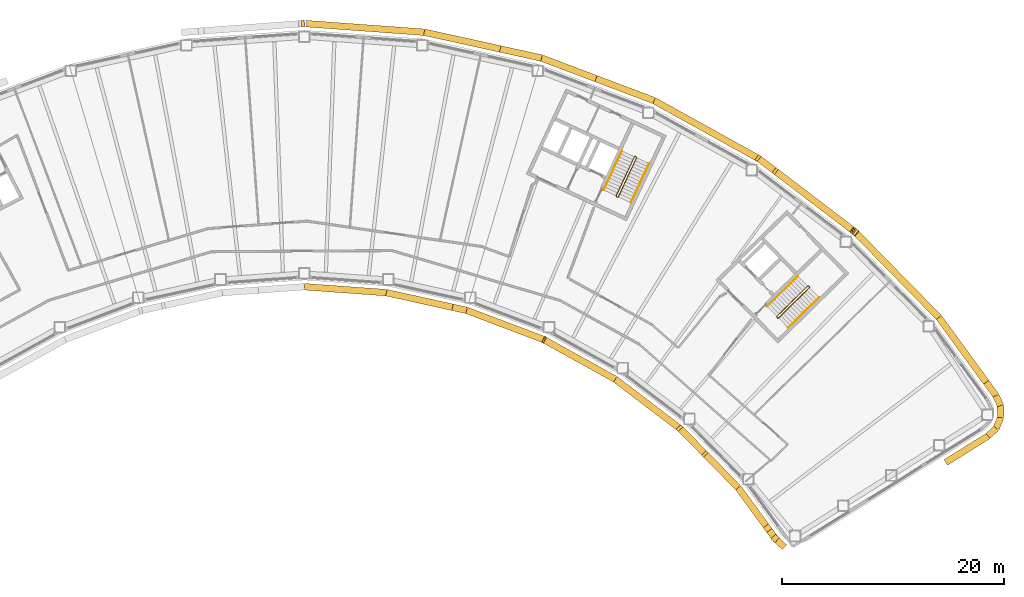
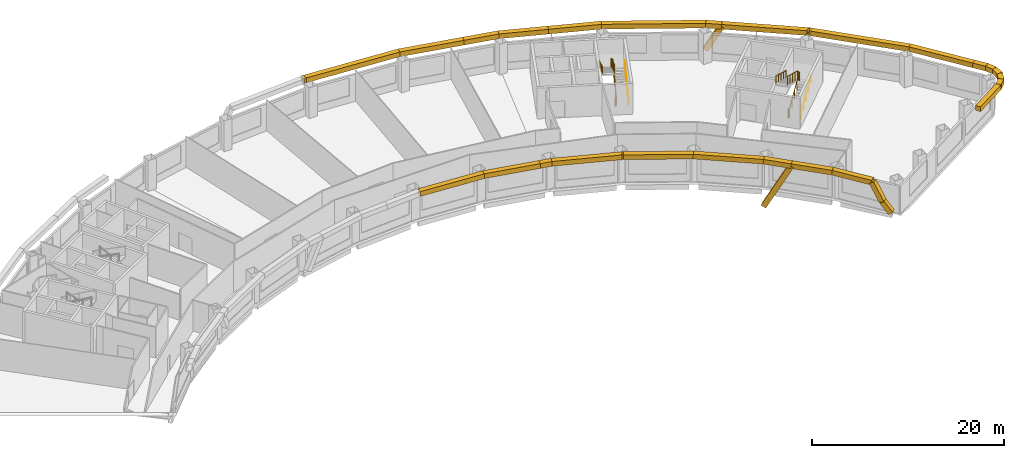
# One storey, part 11 of 11: 34 coverings, 6 railings.
"""IFC4 building model written with IfcOpenShell, lengths in metres."""

from ifc_helpers import new_model, si_unit, direction, frame, origin, origin_2d, place, context, subcontext, project, spatial, rectangle, circle, extrude, material, material_profile, profile_set, type_object, element, save


model = new_model("IFC4")

# Units and contexts
model_context = context("Model", 3, precision=1e-05, world=origin(), true_north=direction((0.0, 1.0)))
body_context = subcontext(model_context, "Body", "Model", "MODEL_VIEW")
ifc_project = project(units=[si_unit("LENGTHUNIT", "METRE"), si_unit("AREAUNIT", "SQUARE_METRE"), si_unit("VOLUMEUNIT", "CUBIC_METRE"), si_unit("PLANEANGLEUNIT", "RADIAN"), si_unit("MASSUNIT", "GRAM", prefix="KILO")], contexts=[model_context])

# Site, building, storey
site_placement = place(None, origin())
site = spatial("IfcSite", under=ifc_project, at=site_placement, CompositionType="ELEMENT")
building_placement = place(site_placement, origin())
building = spatial("IfcBuilding", under=site, at=building_placement, Name="Tuul Gate Civic Tower", CompositionType="ELEMENT")
storey_placement = place(building_placement, frame((0.0, 0.0, 159.199951171875)))
storey = spatial("IfcBuildingStorey", under=building, at=storey_placement, Name="Level 36", CompositionType="ELEMENT", Elevation=159.199951171875)

# Railings
ifc_material_1 = material(Name="Painted steel", Category="steel")
railing_type_1 = type_object("IfcRailingType", Name="Stair guard", PredefinedType="GUARDRAIL", material=ifc_material_1)
railing_1_placement = place(storey_placement, frame((48.10546875, -16.134765625, 0.0)))
element("IfcRailing", 1, at=railing_1_placement, inside=storey, type_object=railing_type_1, Name="Level 36 ST-3 stair guard 1", PredefinedType="GUARDRAIL", context=body_context, shape_type="SweptSolid", body=[
    extrude(circle(Radius=0.02392578125, at=origin_2d()), frame((0.0, 0.0, 1.076171875), z_axis=(-0.698506948293, 0.715603272202, 0.0), x_axis=(-0.715603272202, -0.698506948293, 0.0)), (0.0, 0.0, 1.0), 0.099853515625),
    extrude(circle(Radius=0.02392578125, at=origin_2d()), frame((-0.06982421875, 0.071533203125, 1.076171875), z_axis=(0.644948864628, -0.331432055434, 0.688617277337), x_axis=(0.457068866502, 0.889431307788, 0.0)), (0.0, 0.0, 1.0), 0.218017578125),
    extrude(circle(Radius=0.02392578125, at=origin_2d()), frame((0.07080078125, -0.000732421875, 1.22607421875), z_axis=(0.638731261263, 0.626133563701, 0.447190268558), x_axis=(-0.700029477518, 0.714113947914, 0.0)), (0.0, 0.0, 1.0), 4.3603515625),
    extrude(circle(Radius=0.02392578125, at=origin_2d()), frame((2.85595703125, 2.7294921875, 3.17626953125), z_axis=(0.010380063588, 0.999946125689, 0.0), x_axis=(-0.999946125689, 0.010380063588, 0.0)), (0.0, 0.0, 1.0), 0.070556640625),
    extrude(circle(Radius=0.02392578125, at=origin_2d()), frame((2.856689453125, 2.800048828125, 3.17626953125), z_axis=(-0.699754442181, 0.714383454909, 0.0), x_axis=(-0.714383454909, -0.699754442181, 0.0)), (0.0, 0.0, 1.0), 0.10009765625),
    extrude(circle(Radius=0.02392578125, at=origin_2d()), frame((2.78662109375, 2.87158203125, 3.17626953125), z_axis=(-0.427069033481, 0.004417955519, 0.904208229508), x_axis=(-0.010344274102, -0.999946496565, 0.0)), (0.0, 0.0, 1.0), 0.165771484375),
    extrude(circle(Radius=0.02392578125, at=origin_2d()), frame((2.7158203125, 2.872314453125, 3.326171875), z_axis=(-0.638731261263, -0.626133563701, 0.447190268558), x_axis=(0.700029477518, -0.714113947914, 0.0)), (0.0, 0.0, 1.0), 4.3603515625),
    extrude(circle(Radius=0.02099609375, at=origin_2d()), origin(), (0.0, 0.0, 1.0), 1.052001953125),
    extrude(circle(Radius=0.02099609375, at=origin_2d()), frame((-0.06982421875, 0.071533203125, 0.0)), (0.0, 0.0, 1.0), 1.052001953125),
    extrude(circle(Radius=0.02099609375, at=origin_2d()), frame((0.07080078125, -0.000732421875, 0.150146484375)), (0.0, 0.0, 1.0), 1.052001953125),
    extrude(circle(Radius=0.02099609375, at=origin_2d()), frame((0.76708984375, 0.681884765625, 0.6376953125)), (0.0, 0.0, 1.0), 1.052001953125),
    extrude(circle(Radius=0.02099609375, at=origin_2d()), frame((1.46337890625, 1.3642578125, 1.125)), (0.0, 0.0, 1.0), 1.052001953125),
    extrude(circle(Radius=0.02099609375, at=origin_2d()), frame((2.15966796875, 2.046875, 1.612548828125)), (0.0, 0.0, 1.0), 1.052001953125),
    extrude(circle(Radius=0.02099609375, at=origin_2d()), frame((2.85595703125, 2.7294921875, 2.10009765625)), (0.0, 0.0, 1.0), 1.052001953125),
    extrude(circle(Radius=0.02099609375, at=origin_2d()), frame((2.856689453125, 2.800048828125, 2.10009765625)), (0.0, 0.0, 1.0), 1.052001953125),
    extrude(circle(Radius=0.02099609375, at=origin_2d()), frame((2.78662109375, 2.87158203125, 2.10009765625)), (0.0, 0.0, 1.0), 1.052001953125),
    extrude(circle(Radius=0.02099609375, at=origin_2d()), frame((2.7158203125, 2.872314453125, 2.25)), (0.0, 0.0, 1.0), 1.052001953125),
    extrude(circle(Radius=0.02099609375, at=origin_2d()), frame((2.01953125, 2.189697265625, 2.737548828125)), (0.0, 0.0, 1.0), 1.052001953125),
    extrude(circle(Radius=0.02099609375, at=origin_2d()), frame((1.3232421875, 1.50732421875, 3.22509765625)), (0.0, 0.0, 1.0), 1.052001953125),
    extrude(circle(Radius=0.02099609375, at=origin_2d()), frame((0.626953125, 0.82470703125, 3.71240234375)), (0.0, 0.0, 1.0), 1.052001953125),
    extrude(circle(Radius=0.02099609375, at=origin_2d()), frame((-0.0693359375, 0.14208984375, 4.199951171875)), (0.0, 0.0, 1.0), 1.052001953125),
])
railing_2_placement = place(storey_placement, frame((33.645751953125, -5.238525390625, 0.0)))
element("IfcRailing", 2, at=railing_2_placement, inside=storey, type_object=railing_type_1, Name="Level 36 ST-4 stair guard 1", PredefinedType="GUARDRAIL", context=body_context, shape_type="SweptSolid", body=[
    extrude(circle(Radius=0.02392578125, at=origin_2d()), frame((0.0, 0.0, 1.076171875), z_axis=(-0.906307919131, 0.422617978463, 0.0), x_axis=(-0.422617978463, -0.906307919131, 0.0)), (0.0, 0.0, 1.0), 0.099853515625),
    extrude(circle(Radius=0.02392578125, at=origin_2d()), frame((-0.090576171875, 0.042236328125, 1.076171875), z_axis=(0.720179819621, -0.082882280952, 0.688818956559), x_axis=(0.114330889033, 0.993442724979, 0.0)), (0.0, 0.0, 1.0), 0.218017578125),
    extrude(circle(Radius=0.02392578125, at=origin_2d()), frame((0.06640625, 0.024169921875, 1.22607421875), z_axis=(0.377946903738, 0.810654114417, 0.447209173356), x_axis=(-0.906336612539, 0.422556439746, 0.0)), (0.0, 0.0, 1.0), 4.3603515625),
    extrude(circle(Radius=0.02392578125, at=origin_2d()), frame((1.71435546875, 3.558837890625, 3.17626953125), z_axis=(-0.342020437038, 0.939692513883, 0.0), x_axis=(-0.939692513883, -0.342020437038, 0.0)), (0.0, 0.0, 1.0), 0.070556640625),
    extrude(circle(Radius=0.02392578125, at=origin_2d()), frame((1.690185546875, 3.625244140625, 3.17626953125), z_axis=(-0.906307919131, 0.422617978463, 0.0), x_axis=(-0.422617978463, -0.906307919131, 0.0)), (0.0, 0.0, 1.0), 0.099853515625),
    extrude(circle(Radius=0.02392578125, at=origin_2d()), frame((1.599609375, 3.66748046875, 3.17626953125), z_axis=(-0.40070210376, -0.145843780413, 0.904526072458), x_axis=(0.342020437038, -0.939692513883, 0.0)), (0.0, 0.0, 1.0), 0.165771484375),
    extrude(circle(Radius=0.02392578125, at=origin_2d()), frame((1.533203125, 3.643310546875, 3.326171875), z_axis=(-0.377946903738, -0.810654114417, 0.447209173356), x_axis=(0.906336612539, -0.422556439746, 0.0)), (0.0, 0.0, 1.0), 4.3603515625),
    extrude(circle(Radius=0.02099609375, at=origin_2d()), origin(), (0.0, 0.0, 1.0), 1.052001953125),
    extrude(circle(Radius=0.02099609375, at=origin_2d()), frame((-0.090576171875, 0.042236328125, 0.0)), (0.0, 0.0, 1.0), 1.052001953125),
    extrude(circle(Radius=0.02099609375, at=origin_2d()), frame((0.06640625, 0.024169921875, 0.150146484375)), (0.0, 0.0, 1.0), 1.052001953125),
    extrude(circle(Radius=0.02099609375, at=origin_2d()), frame((0.478515625, 0.90771484375, 0.6376953125)), (0.0, 0.0, 1.0), 1.052001953125),
    extrude(circle(Radius=0.02099609375, at=origin_2d()), frame((0.890380859375, 1.79150390625, 1.125)), (0.0, 0.0, 1.0), 1.052001953125),
    extrude(circle(Radius=0.02099609375, at=origin_2d()), frame((1.30224609375, 2.67529296875, 1.612548828125)), (0.0, 0.0, 1.0), 1.052001953125),
    extrude(circle(Radius=0.02099609375, at=origin_2d()), frame((1.71435546875, 3.558837890625, 2.10009765625)), (0.0, 0.0, 1.0), 1.052001953125),
    extrude(circle(Radius=0.02099609375, at=origin_2d()), frame((1.690185546875, 3.625244140625, 2.10009765625)), (0.0, 0.0, 1.0), 1.052001953125),
    extrude(circle(Radius=0.02099609375, at=origin_2d()), frame((1.599609375, 3.66748046875, 2.10009765625)), (0.0, 0.0, 1.0), 1.052001953125),
    extrude(circle(Radius=0.02099609375, at=origin_2d()), frame((1.533203125, 3.643310546875, 2.25)), (0.0, 0.0, 1.0), 1.052001953125),
    extrude(circle(Radius=0.02099609375, at=origin_2d()), frame((1.12109375, 2.759765625, 2.737548828125)), (0.0, 0.0, 1.0), 1.052001953125),
    extrude(circle(Radius=0.02099609375, at=origin_2d()), frame((0.709228515625, 1.8759765625, 3.22509765625)), (0.0, 0.0, 1.0), 1.052001953125),
    extrude(circle(Radius=0.02099609375, at=origin_2d()), frame((0.29736328125, 0.9921875, 3.71240234375)), (0.0, 0.0, 1.0), 1.052001953125),
    extrude(circle(Radius=0.02099609375, at=origin_2d()), frame((-0.11474609375, 0.108642578125, 4.199951171875)), (0.0, 0.0, 1.0), 1.052001953125),
])
ifc_material_2 = material(Name="Painted steel", Category="steel")
railing_type_2 = type_object("IfcRailingType", Name="Stair handrail", PredefinedType="HANDRAIL", material=ifc_material_2)
railing_3_placement = place(storey_placement, frame((49.05126953125, -17.028076171875, 0.150146484375)))
element("IfcRailing", 3, at=railing_3_placement, inside=storey, type_object=railing_type_2, Name="Level 36 ST-3 stair handrail 1", PredefinedType="HANDRAIL", context=body_context, shape_type="SweptSolid", body=[
    extrude(circle(Radius=0.02392578125, at=origin_2d()), frame((0.0, 0.0, 0.8759765625), z_axis=(0.638753653487, 0.626099522554, 0.447205945863), x_axis=(-0.699997553204, 0.714145241186, 0.0)), (0.0, 0.0, 1.0), 4.3603515625),
    extrude(circle(Radius=0.02099609375, at=origin_2d()), origin(), (0.0, 0.0, 1.0), 0.851806640625),
    extrude(circle(Radius=0.02099609375, at=origin_2d()), frame((0.6962890625, 0.6826171875, 0.487548828125)), (0.0, 0.0, 1.0), 0.851806640625),
    extrude(circle(Radius=0.02099609375, at=origin_2d()), frame((1.392578125, 1.364990234375, 0.97509765625)), (0.0, 0.0, 1.0), 0.851806640625),
    extrude(circle(Radius=0.02099609375, at=origin_2d()), frame((2.0888671875, 2.04736328125, 1.46240234375)), (0.0, 0.0, 1.0), 0.851806640625),
    extrude(circle(Radius=0.02099609375, at=origin_2d()), frame((2.78515625, 2.72998046875, 1.949951171875)), (0.0, 0.0, 1.0), 0.851806640625),
])
railing_4_placement = place(storey_placement, frame((49.9462890625, -12.369873046875, 2.25)))
element("IfcRailing", 4, at=railing_4_placement, inside=storey, type_object=railing_type_2, Name="Level 36 ST-3 stair handrail 2", PredefinedType="HANDRAIL", context=body_context, shape_type="SweptSolid", body=[
    extrude(circle(Radius=0.02392578125, at=origin_2d()), frame((0.0, 0.0, 0.8759765625), z_axis=(-0.638753653487, -0.626099522554, 0.447205945863), x_axis=(0.699997553204, -0.714145241186, 0.0)), (0.0, 0.0, 1.0), 4.3603515625),
    extrude(circle(Radius=0.02099609375, at=origin_2d()), origin(), (0.0, 0.0, 1.0), 0.851806640625),
    extrude(circle(Radius=0.02099609375, at=origin_2d()), frame((-0.6962890625, -0.6826171875, 0.487548828125)), (0.0, 0.0, 1.0), 0.851806640625),
    extrude(circle(Radius=0.02099609375, at=origin_2d()), frame((-1.392578125, -1.364990234375, 0.97509765625)), (0.0, 0.0, 1.0), 0.851806640625),
    extrude(circle(Radius=0.02099609375, at=origin_2d()), frame((-2.0888671875, -2.04736328125, 1.46240234375)), (0.0, 0.0, 1.0), 0.851806640625),
    extrude(circle(Radius=0.02099609375, at=origin_2d()), frame((-2.78515625, -2.72998046875, 1.949951171875)), (0.0, 0.0, 1.0), 0.851806640625),
])
railing_5_placement = place(storey_placement, frame((34.844970703125, -5.74267578125, 0.150146484375)))
element("IfcRailing", 5, at=railing_5_placement, inside=storey, type_object=railing_type_2, Name="Level 36 ST-4 stair handrail 1", PredefinedType="HANDRAIL", context=body_context, shape_type="SweptSolid", body=[
    extrude(circle(Radius=0.02392578125, at=origin_2d()), frame((0.0, 0.0, 0.8759765625), z_axis=(0.377994896215, 0.810636958585, 0.447199709091), x_axis=(-0.906312636903, 0.422607861012, 0.0)), (0.0, 0.0, 1.0), 4.3603515625),
    extrude(circle(Radius=0.02099609375, at=origin_2d()), origin(), (0.0, 0.0, 1.0), 0.851806640625),
    extrude(circle(Radius=0.02099609375, at=origin_2d()), frame((0.412109375, 0.8837890625, 0.487548828125)), (0.0, 0.0, 1.0), 0.851806640625),
    extrude(circle(Radius=0.02099609375, at=origin_2d()), frame((0.82421875, 1.767333984375, 0.97509765625)), (0.0, 0.0, 1.0), 0.851806640625),
    extrude(circle(Radius=0.02099609375, at=origin_2d()), frame((1.236083984375, 2.65087890625, 1.46240234375)), (0.0, 0.0, 1.0), 0.851806640625),
    extrude(circle(Radius=0.02099609375, at=origin_2d()), frame((1.648193359375, 3.53466796875, 1.949951171875)), (0.0, 0.0, 1.0), 0.851806640625),
])
railing_6_placement = place(storey_placement, frame((34.046142578125, -1.06689453125, 2.25)))
element("IfcRailing", 6, at=railing_6_placement, inside=storey, type_object=railing_type_2, Name="Level 36 ST-4 stair handrail 2", PredefinedType="HANDRAIL", context=body_context, shape_type="SweptSolid", body=[
    extrude(circle(Radius=0.02392578125, at=origin_2d()), frame((0.0, 0.0, 0.8759765625), z_axis=(-0.377994896215, -0.810636958585, 0.447199709091), x_axis=(0.906312636903, -0.422607861012, 0.0)), (0.0, 0.0, 1.0), 4.3603515625),
    extrude(circle(Radius=0.02099609375, at=origin_2d()), origin(), (0.0, 0.0, 1.0), 0.851806640625),
    extrude(circle(Radius=0.02099609375, at=origin_2d()), frame((-0.412109375, -0.8837890625, 0.487548828125)), (0.0, 0.0, 1.0), 0.851806640625),
    extrude(circle(Radius=0.02099609375, at=origin_2d()), frame((-0.82421875, -1.767333984375, 0.97509765625)), (0.0, 0.0, 1.0), 0.851806640625),
    extrude(circle(Radius=0.02099609375, at=origin_2d()), frame((-1.236083984375, -2.65087890625, 1.46240234375)), (0.0, 0.0, 1.0), 0.851806640625),
    extrude(circle(Radius=0.02099609375, at=origin_2d()), frame((-1.648193359375, -3.53466796875, 1.949951171875)), (0.0, 0.0, 1.0), 0.851806640625),
])

# Coverings
ifc_material_3 = material(Name="Terracotta baguette", Category="masonry")
ifc_material_profile = material_profile(ifc_material_3, rectangle(XDim=0.60009765625, YDim=0.60009765625, at=origin_2d()), Name="Terracotta baguette screen frame")
ifc_profile_set = profile_set([ifc_material_profile], Name="Terracotta baguette")
covering_type = type_object("IfcCoveringType", Name="Terracotta baguette screen frame", PredefinedType="CLADDING", material=ifc_profile_set)
covering_1_placement = place(storey_placement, frame((63.275146484375, -29.19384765625, 3.85009765625), z_axis=(0.848058898511, 0.529901976461, 0.0), x_axis=(-0.529901976461, 0.848058898511, 0.0)))
element("IfcCovering", 7, at=covering_1_placement, inside=storey, type_object=covering_type, Name="Baguette 11", PredefinedType="CLADDING", context=body_context, shape_type="SweptSolid", body=[
    extrude(rectangle(XDim=0.60009765625, YDim=0.60009765625, at=origin_2d()), origin(), (0.0, 0.0, 1.0), 4.526611328125),
])
covering_2_placement = place(storey_placement, frame((67.114013671875, -26.795166015625, 3.85009765625), z_axis=(0.722137314744, 0.691749737011, 0.0), x_axis=(-0.691749737011, 0.722137314744, 0.0)))
element("IfcCovering", 8, at=covering_2_placement, inside=storey, type_object=covering_type, Name="Baguette 12", PredefinedType="CLADDING", context=body_context, shape_type="SweptSolid", body=[
    extrude(rectangle(XDim=0.60009765625, YDim=0.60009765625, at=origin_2d()), origin(), (0.0, 0.0, 1.0), 0.98828125),
])
covering_3_placement = place(storey_placement, frame((67.82763671875, -26.111572265625, 3.85009765625), z_axis=(0.385784883999, 0.922588761734, 0.0), x_axis=(-0.922588761734, 0.385784883999, 0.0)))
element("IfcCovering", 9, at=covering_3_placement, inside=storey, type_object=covering_type, Name="Baguette 13", PredefinedType="CLADDING", context=body_context, shape_type="SweptSolid", body=[
    extrude(rectangle(XDim=0.60009765625, YDim=0.60009765625, at=origin_2d()), origin(), (0.0, 0.0, 1.0), 1.06689453125),
])
covering_4_placement = place(storey_placement, frame((68.2392578125, -25.127197265625, 3.85009765625), z_axis=(-0.014633694716, 0.999892921757, 0.0), x_axis=(-0.999892921757, -0.014633694716, 0.0)))
element("IfcCovering", 10, at=covering_4_placement, inside=storey, type_object=covering_type, Name="Baguette 14", PredefinedType="CLADDING", context=body_context, shape_type="SweptSolid", body=[
    extrude(rectangle(XDim=0.60009765625, YDim=0.60009765625, at=origin_2d()), origin(), (0.0, 0.0, 1.0), 1.067626953125),
])
covering_5_placement = place(storey_placement, frame((68.2236328125, -24.0595703125, 3.85009765625), z_axis=(-0.413393330634, 0.910552554325, 0.0), x_axis=(-0.910552554325, -0.413393330634, 0.0)))
element("IfcCovering", 11, at=covering_5_placement, inside=storey, type_object=covering_type, Name="Baguette 15", PredefinedType="CLADDING", context=body_context, shape_type="SweptSolid", body=[
    extrude(rectangle(XDim=0.60009765625, YDim=0.60009765625, at=origin_2d()), origin(), (0.0, 0.0, 1.0), 0.988037109375),
])
covering_6_placement = place(storey_placement, frame((67.815185546875, -23.159912109375, 3.85009765625), z_axis=(-0.589811807799, 0.807540730478, 0.0), x_axis=(-0.807540730478, -0.589811807799, 0.0)))
element("IfcCovering", 12, at=covering_6_placement, inside=storey, type_object=covering_type, Name="Baguette 16", PredefinedType="CLADDING", context=body_context, shape_type="SweptSolid", body=[
    extrude(rectangle(XDim=0.60009765625, YDim=0.60009765625, at=origin_2d()), origin(), (0.0, 0.0, 1.0), 1.49462890625),
])
covering_7_placement = place(storey_placement, frame((55.067626953125, -8.357177734375, 3.933837890625), z_axis=(-0.585147095835, 0.444790866766, -0.678058965782), x_axis=(-0.605151459078, -0.796110363942, 0.0)))
element("IfcCovering", 13, at=covering_7_placement, inside=storey, type_object=covering_type, Name="Baguette 30", PredefinedType="CLADDING", context=body_context, shape_type="SweptSolid", body=[
    extrude(rectangle(XDim=0.60009765625, YDim=0.60009765625, at=origin_2d()), origin(), (0.0, 0.0, 1.0), 0.12353515625),
])
covering_8_placement = place(storey_placement, frame((54.995361328125, -8.30224609375, 3.85009765625), z_axis=(0.378497746788, -0.287709435903, -0.879751519561), x_axis=(0.605151459078, 0.796110363942, 0.0)))
element("IfcCovering", 14, at=covering_8_placement, inside=storey, type_object=covering_type, Name="Baguette 34", PredefinedType="CLADDING", context=body_context, shape_type="SweptSolid", body=[
    extrude(rectangle(XDim=0.60009765625, YDim=0.60009765625, at=origin_2d()), origin(), (0.0, 0.0, 1.0), 0.19091796875),
])
covering_9_placement = place(storey_placement, frame((54.995361328125, -8.30224609375, 3.85009765625), z_axis=(-0.795609596357, 0.605809681488, 0.0), x_axis=(-0.605809681488, -0.795609596357, 0.0)))
element("IfcCovering", 15, at=covering_9_placement, inside=storey, type_object=covering_type, Name="Baguette 36", PredefinedType="CLADDING", context=body_context, shape_type="SweptSolid", body=[
    extrude(rectangle(XDim=0.60009765625, YDim=0.60009765625, at=origin_2d()), origin(), (0.0, 0.0, 1.0), 9.072265625),
])
covering_10_placement = place(storey_placement, frame((47.77734375, -2.80615234375, 3.85009765625), z_axis=(-0.378068215842, 0.28784582991, -0.879891585579), x_axis=(-0.605768691074, -0.795640806467, 0.0)))
element("IfcCovering", 16, at=covering_10_placement, inside=storey, type_object=covering_type, Name="Baguette 41", PredefinedType="CLADDING", context=body_context, shape_type="SweptSolid", body=[
    extrude(rectangle(XDim=0.60009765625, YDim=0.60009765625, at=origin_2d()), origin(), (0.0, 0.0, 1.0), 3.552978515625),
])
covering_11_placement = place(storey_placement, frame((31.7001953125, 5.460205078125, 3.85009765625), z_axis=(-0.935357847224, 0.353702838039, 0.0), x_axis=(-0.353702838039, -0.935357847224, 0.0)))
element("IfcCovering", 17, at=covering_11_placement, inside=storey, type_object=covering_type, Name="Baguette 57", PredefinedType="CLADDING", context=body_context, shape_type="SweptSolid", body=[
    extrude(rectangle(XDim=0.60009765625, YDim=0.60009765625, at=origin_2d()), origin(), (0.0, 0.0, 1.0), 5.245849609375),
])
covering_12_placement = place(storey_placement, frame((26.79345703125, 7.315673828125, 3.85009765625), z_axis=(-0.976554947182, 0.21526828641, 0.0), x_axis=(-0.21526828641, -0.976554947182, 0.0)))
element("IfcCovering", 18, at=covering_12_placement, inside=storey, type_object=covering_type, Name="Baguette 58", PredefinedType="CLADDING", context=body_context, shape_type="SweptSolid", body=[
    extrude(rectangle(XDim=0.60009765625, YDim=0.60009765625, at=origin_2d()), origin(), (0.0, 0.0, 1.0), 3.826416015625),
])
covering_13_placement = place(storey_placement, frame((18.751708984375, -15.180908203125, 3.85009765625), z_axis=(0.976558162371, -0.215253700333, 0.0), x_axis=(0.215253700333, 0.976558162371, 0.0)))
element("IfcCovering", 19, at=covering_13_placement, inside=storey, type_object=covering_type, Name="Baguette 233", PredefinedType="CLADDING", context=body_context, shape_type="SweptSolid", body=[
    extrude(rectangle(XDim=0.60009765625, YDim=0.60009765625, at=origin_2d()), origin(), (0.0, 0.0, 1.0), 1.295166015625),
])
covering_14_placement = place(storey_placement, frame((20.0166015625, -15.459716796875, 3.85009765625), z_axis=(0.935363965038, -0.353686659217, 0.0), x_axis=(0.353686659217, 0.935363965038, 0.0)))
element("IfcCovering", 20, at=covering_14_placement, inside=storey, type_object=covering_type, Name="Baguette 234", PredefinedType="CLADDING", context=body_context, shape_type="SweptSolid", body=[
    extrude(rectangle(XDim=0.60009765625, YDim=0.60009765625, at=origin_2d()), origin(), (0.0, 0.0, 1.0), 7.417724609375),
])
covering_15_placement = place(storey_placement, frame((26.954833984375, -18.083251953125, 3.85009765625), z_axis=(0.875065648596, -0.484004246518, 0.0), x_axis=(0.484004246518, 0.875065648596, 0.0)))
element("IfcCovering", 21, at=covering_15_placement, inside=storey, type_object=covering_type, Name="Baguette 235", PredefinedType="CLADDING", context=body_context, shape_type="SweptSolid", body=[
    extrude(rectangle(XDim=0.60009765625, YDim=0.60009765625, at=origin_2d()), origin(), (0.0, 0.0, 1.0), 0.13916015625),
])
covering_16_placement = place(storey_placement, frame((41.449462890625, -28.3212890625, 3.85009765625), z_axis=(-0.326313416277, 0.332898725304, -0.884702205857), x_axis=(-0.714134909565, -0.700008093482, 0.0)))
element("IfcCovering", 22, at=covering_16_placement, inside=storey, type_object=covering_type, Name="Baguette 254", PredefinedType="CLADDING", context=body_context, shape_type="SweptSolid", body=[
    extrude(rectangle(XDim=0.60009765625, YDim=0.60009765625, at=origin_2d()), origin(), (0.0, 0.0, 1.0), 6.45068359375),
])
covering_17_placement = place(storey_placement, frame((41.449462890625, -28.3212890625, 3.85009765625), z_axis=(0.700042634993, -0.714101049706, 0.0), x_axis=(0.714101049706, 0.700042634993, 0.0)))
element("IfcCovering", 23, at=covering_17_placement, inside=storey, type_object=covering_type, Name="Baguette 256", PredefinedType="CLADDING", context=body_context, shape_type="SweptSolid", body=[
    extrude(rectangle(XDim=0.60009765625, YDim=0.60009765625, at=origin_2d()), origin(), (0.0, 0.0, 1.0), 4.410888671875),
])
covering_18_placement = place(storey_placement, frame((44.537353515625, -31.47119140625, 3.85009765625), z_axis=(0.589751062736, -0.80758509397, 0.0), x_axis=(0.80758509397, 0.589751062736, 0.0)))
element("IfcCovering", 24, at=covering_18_placement, inside=storey, type_object=covering_type, Name="Baguette 257", PredefinedType="CLADDING", context=body_context, shape_type="SweptSolid", body=[
    extrude(rectangle(XDim=0.60009765625, YDim=0.60009765625, at=origin_2d()), origin(), (0.0, 0.0, 1.0), 4.51904296875),
])
covering_19_placement = place(storey_placement, frame((47.202392578125, -35.12060546875, 3.85009765625), z_axis=(0.278572496392, -0.381573250537, -0.881362138243), x_axis=(0.807662774431, 0.589644675037, 0.0)))
element("IfcCovering", 25, at=covering_19_placement, inside=storey, type_object=covering_type, Name="Baguette 270", PredefinedType="CLADDING", context=body_context, shape_type="SweptSolid", body=[
    extrude(rectangle(XDim=0.60009765625, YDim=0.60009765625, at=origin_2d()), origin(), (0.0, 0.0, 1.0), 2.43896484375),
])
covering_20_placement = place(storey_placement, frame((47.8818359375, -36.05126953125, 1.700439453125), z_axis=(0.418568484912, -0.391874462144, -0.819289222044), x_axis=(0.683445771731, 0.730001285686, 0.0)))
element("IfcCovering", 26, at=covering_20_placement, inside=storey, type_object=covering_type, Name="Baguette 271", PredefinedType="CLADDING", context=body_context, shape_type="SweptSolid", body=[
    extrude(rectangle(XDim=0.60009765625, YDim=0.60009765625, at=origin_2d()), origin(), (0.0, 0.0, 1.0), 1.572998046875),
])
covering_21_placement = place(storey_placement, frame((66.93359375, -21.952880859375, 3.85009765625), z_axis=(-0.58975447594, 0.807582601416, 0.0), x_axis=(-0.807582601416, -0.58975447594, 0.0)))
element("IfcCovering", 27, at=covering_21_placement, inside=storey, type_object=covering_type, Name="Baguette 285", PredefinedType="CLADDING", context=body_context, shape_type="SweptSolid", body=[
    extrude(rectangle(XDim=0.60009765625, YDim=0.60009765625, at=origin_2d()), origin(), (0.0, 0.0, 1.0), 7.240234375),
])
covering_22_placement = place(storey_placement, frame((62.66357421875, -16.105712890625, 3.85009765625), z_axis=(-0.700040591401, 0.714103053061, 0.0), x_axis=(-0.714103053061, -0.700040591401, 0.0)))
element("IfcCovering", 28, at=covering_22_placement, inside=storey, type_object=covering_type, Name="Baguette 286", PredefinedType="CLADDING", context=body_context, shape_type="SweptSolid", body=[
    extrude(rectangle(XDim=0.60009765625, YDim=0.60009765625, at=origin_2d()), origin(), (0.0, 0.0, 1.0), 10.850830078125),
])
covering_23_placement = place(storey_placement, frame((55.067626953125, -8.357177734375, 3.85009765625), z_axis=(-0.796110363942, 0.605151459078, 0.0), x_axis=(-0.605151459078, -0.796110363942, 0.0)))
element("IfcCovering", 29, at=covering_23_placement, inside=storey, type_object=covering_type, Name="Baguette 287", PredefinedType="CLADDING", context=body_context, shape_type="SweptSolid", body=[
    extrude(rectangle(XDim=0.60009765625, YDim=0.60009765625, at=origin_2d()), origin(), (0.0, 0.0, 1.0), 0.0908203125),
])
covering_24_placement = place(storey_placement, frame((47.77734375, -2.80615234375, 3.85009765625), z_axis=(-0.795640806467, 0.605768691074, 0.0), x_axis=(-0.605768691074, -0.795640806467, 0.0)))
element("IfcCovering", 30, at=covering_24_placement, inside=storey, type_object=covering_type, Name="Baguette 294", PredefinedType="CLADDING", context=body_context, shape_type="SweptSolid", body=[
    extrude(rectangle(XDim=0.60009765625, YDim=0.60009765625, at=origin_2d()), origin(), (0.0, 0.0, 1.0), 1.688232421875),
])
covering_25_placement = place(storey_placement, frame((46.43408203125, -1.783447265625, 3.85009765625), z_axis=(-0.874626999089, 0.484796464987, 0.0), x_axis=(-0.484796464987, -0.874626999089, 0.0)))
element("IfcCovering", 31, at=covering_25_placement, inside=storey, type_object=covering_type, Name="Baguette 295", PredefinedType="CLADDING", context=body_context, shape_type="SweptSolid", body=[
    extrude(rectangle(XDim=0.60009765625, YDim=0.60009765625, at=origin_2d()), origin(), (0.0, 0.0, 1.0), 10.8515625),
])
covering_26_placement = place(storey_placement, frame((36.943115234375, 3.477294921875, 3.85009765625), z_axis=(-0.935339236321, 0.35375205017, 0.0), x_axis=(-0.35375205017, -0.935339236321, 0.0)))
element("IfcCovering", 32, at=covering_26_placement, inside=storey, type_object=covering_type, Name="Baguette 296", PredefinedType="CLADDING", context=body_context, shape_type="SweptSolid", body=[
    extrude(rectangle(XDim=0.60009765625, YDim=0.60009765625, at=origin_2d()), origin(), (0.0, 0.0, 1.0), 5.60546875),
])
covering_27_placement = place(storey_placement, frame((23.056640625, 8.139404296875, 3.85009765625), z_axis=(-0.976571482602, 0.215193260508, 0.0), x_axis=(-0.215193260508, -0.976571482602, 0.0)))
element("IfcCovering", 33, at=covering_27_placement, inside=storey, type_object=covering_type, Name="Baguette 302", PredefinedType="CLADDING", context=body_context, shape_type="SweptSolid", body=[
    extrude(rectangle(XDim=0.60009765625, YDim=0.60009765625, at=origin_2d()), origin(), (0.0, 0.0, 1.0), 7.02490234375),
])
covering_28_placement = place(storey_placement, frame((16.1962890625, 9.651123046875, 3.85009765625), z_axis=(-0.99738669964, 0.072247985304, 0.0), x_axis=(-0.072247985304, -0.99738669964, 0.0)))
element("IfcCovering", 34, at=covering_28_placement, inside=storey, type_object=covering_type, Name="Baguette 303", PredefinedType="CLADDING", context=body_context, shape_type="SweptSolid", body=[
    extrude(rectangle(XDim=0.60009765625, YDim=0.60009765625, at=origin_2d()), origin(), (0.0, 0.0, 1.0), 10.8505859375),
])
covering_29_placement = place(storey_placement, frame((5.3740234375, 10.43505859375, 3.85009765625), z_axis=(-0.997365816959, -0.072535695779, 0.0), x_axis=(0.072535695779, -0.997365816959, 0.0)))
element("IfcCovering", 35, at=covering_29_placement, inside=storey, type_object=covering_type, Name="Baguette 304", PredefinedType="CLADDING", context=body_context, shape_type="SweptSolid", body=[
    extrude(rectangle(XDim=0.60009765625, YDim=0.60009765625, at=origin_2d()), origin(), (0.0, 0.0, 1.0), 0.269287109375),
])
covering_30_placement = place(storey_placement, frame((5.3740234375, -13.326904296875, 3.85009765625), z_axis=(0.997384830366, -0.072273786091, 0.0), x_axis=(0.072273786091, 0.997384830366, 0.0)))
element("IfcCovering", 36, at=covering_30_placement, inside=storey, type_object=covering_type, Name="Baguette 359", PredefinedType="CLADDING", context=body_context, shape_type="SweptSolid", body=[
    extrude(rectangle(XDim=0.60009765625, YDim=0.60009765625, at=origin_2d()), origin(), (0.0, 0.0, 1.0), 7.41796875),
])
covering_31_placement = place(storey_placement, frame((12.772705078125, -13.863037109375, 3.85009765625), z_axis=(0.976559039251, -0.215249722086, 0.0), x_axis=(0.215249722086, 0.976559039251, 0.0)))
element("IfcCovering", 37, at=covering_31_placement, inside=storey, type_object=covering_type, Name="Baguette 360", PredefinedType="CLADDING", context=body_context, shape_type="SweptSolid", body=[
    extrude(rectangle(XDim=0.60009765625, YDim=0.60009765625, at=origin_2d()), origin(), (0.0, 0.0, 1.0), 6.12255859375),
])
covering_32_placement = place(storey_placement, frame((27.07666015625, -18.150634765625, 3.85009765625), z_axis=(0.874607800523, -0.48483109973, 0.0), x_axis=(0.48483109973, 0.874607800523, 0.0)))
element("IfcCovering", 38, at=covering_32_placement, inside=storey, type_object=covering_type, Name="Baguette 364", PredefinedType="CLADDING", context=body_context, shape_type="SweptSolid", body=[
    extrude(rectangle(XDim=0.60009765625, YDim=0.60009765625, at=origin_2d()), origin(), (0.0, 0.0, 1.0), 7.279052734375),
])
covering_33_placement = place(storey_placement, frame((33.44287109375, -21.6796875, 3.85009765625), z_axis=(0.795582797942, -0.60584487422, 0.0), x_axis=(0.60584487422, 0.795582797942, 0.0)))
element("IfcCovering", 39, at=covering_33_placement, inside=storey, type_object=covering_type, Name="Baguette 365", PredefinedType="CLADDING", context=body_context, shape_type="SweptSolid", body=[
    extrude(rectangle(XDim=0.60009765625, YDim=0.60009765625, at=origin_2d()), origin(), (0.0, 0.0, 1.0), 7.41796875),
])
covering_34_placement = place(storey_placement, frame((39.344482421875, -26.173828125, 3.85009765625), z_axis=(0.700008093482, -0.714134909565, 0.0), x_axis=(0.714134909565, 0.700008093482, 0.0)))
element("IfcCovering", 40, at=covering_34_placement, inside=storey, type_object=covering_type, Name="Baguette 366", PredefinedType="CLADDING", context=body_context, shape_type="SweptSolid", body=[
    extrude(rectangle(XDim=0.60009765625, YDim=0.60009765625, at=origin_2d()), origin(), (0.0, 0.0, 1.0), 3.007080078125),
])

save(model, "model.ifc")
